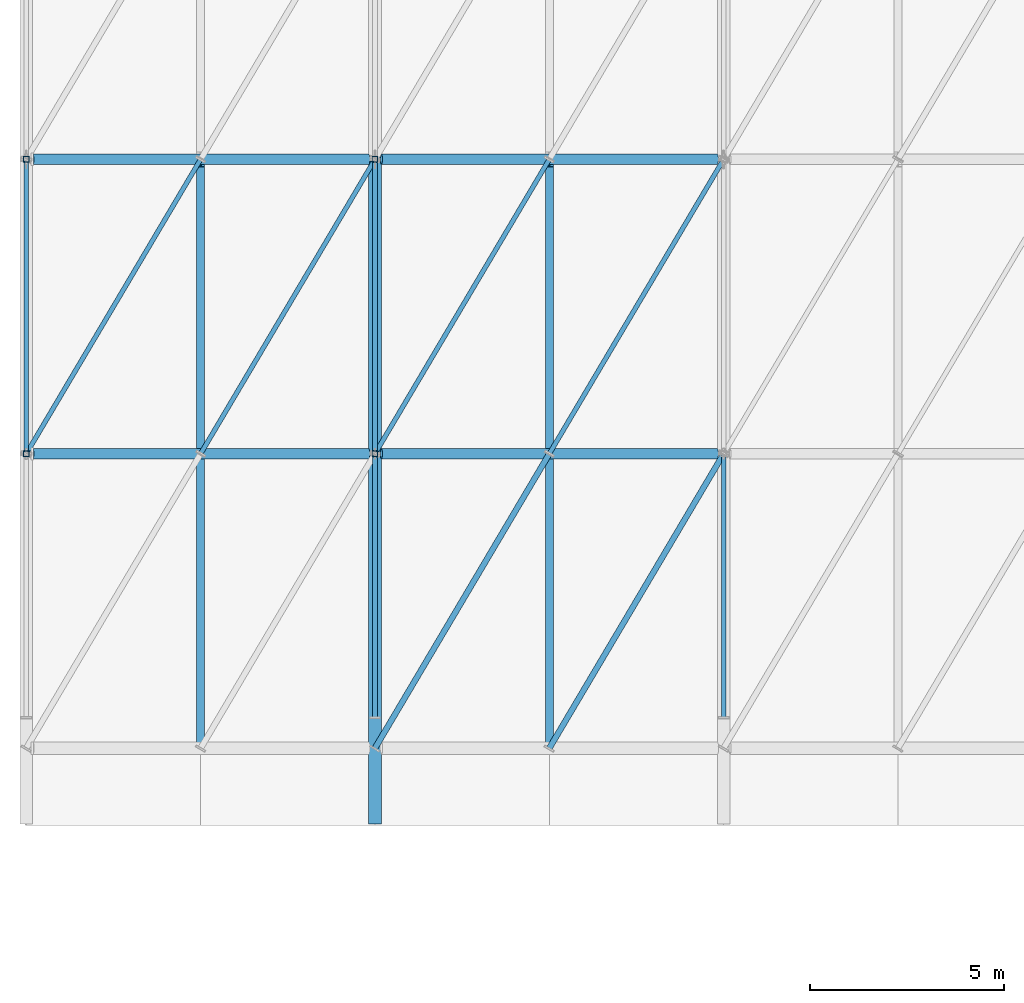
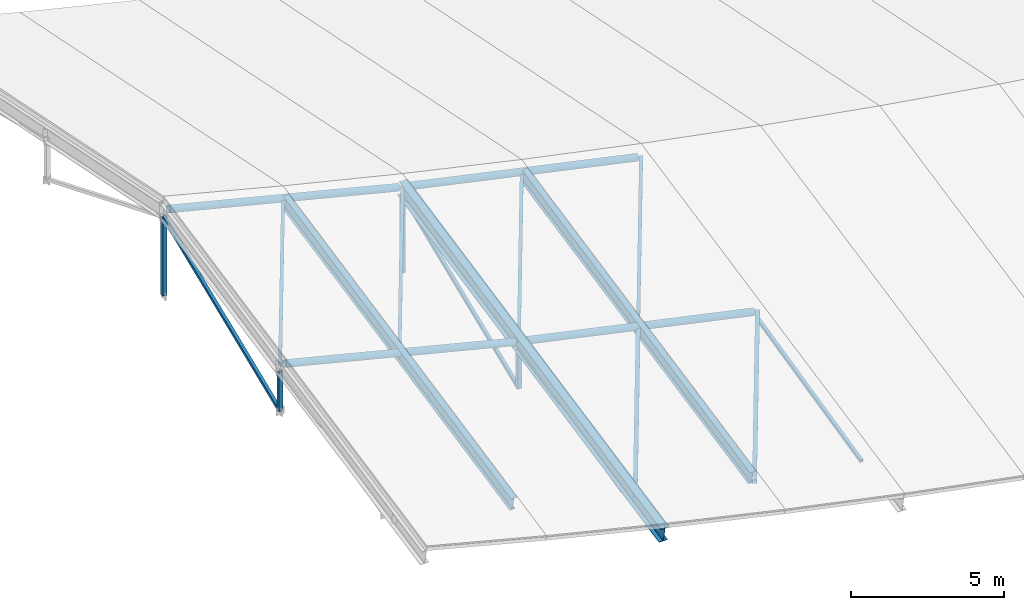
# One storey, part 4 of 21: 14 members, 7 beams.
"""IFC4 building model written with IfcOpenShell, lengths in metres."""

from ifc_helpers import new_model, si_unit, direction, frame, origin, origin_2d, place, context, subcontext, project, spatial, hollow_rectangle, hollow_circle, i_section, extrude, material, material_profile, profile_set, type_object, element, save


model = new_model("IFC4")

# Units and contexts
model_context = context("Model", 3, precision=1e-05, world=origin(), true_north=direction((0.0, 1.0)))
body_context = subcontext(model_context, "Body", "Model", "MODEL_VIEW")
ifc_project = project(units=[si_unit("LENGTHUNIT", "METRE"), si_unit("AREAUNIT", "SQUARE_METRE"), si_unit("VOLUMEUNIT", "CUBIC_METRE"), si_unit("PLANEANGLEUNIT", "RADIAN"), si_unit("MASSUNIT", "GRAM", prefix="KILO")], contexts=[model_context])

# Site, building, storey
site_placement = place(None, origin())
site = spatial("IfcSite", under=ifc_project, at=site_placement, CompositionType="ELEMENT")
building_placement = place(site_placement, origin())
building = spatial("IfcBuilding", under=site, at=building_placement, Name="Caisbarro Railhouse Central Library", CompositionType="ELEMENT")
storey_placement = place(building_placement, frame((0.0, 0.0, 26.639892578125)))
storey = spatial("IfcBuildingStorey", under=building, at=storey_placement, Name="RF", CompositionType="ELEMENT", Elevation=26.639892578125)

# Beams
ifc_material = material(Name="Steel ASTM A572 Grade 50", Category="steel")
ifc_material_profile_1 = material_profile(ifc_material, i_section(OverallWidth=0.324951171875, OverallDepth=0.615966796875, WebThickness=0.013916015625, FlangeThickness=0.021484375, FilletRadius=0.02197265625, at=origin_2d()), Name="W610X174.0")
ifc_profile_set_1 = profile_set([ifc_material_profile_1], Name="Steel ASTM A572 Grade 50")
beam_type_1 = type_object("IfcBeamType", Name="BM-G02", PredefinedType="BEAM", material=ifc_profile_set_1)
beam_placement = place(storey_placement, frame((9.0, 28.5, -3.347412109375), z_axis=(0.0, 0.979829500955, 0.199835304833), x_axis=(-1.0, 0.0, 0.0)))
element("IfcBeam", 1, at=beam_placement, inside=storey, type_object=beam_type_1, Name="V1 Gridshell South Rafter X=9", PredefinedType="BEAM", context=body_context, shape_type="SweptSolid", body=[
    extrude(i_section(OverallWidth=0.324951171875, OverallDepth=0.615966796875, WebThickness=0.013916015625, FlangeThickness=0.021484375, FilletRadius=0.02197265625, at=origin_2d()), origin(), (0.0, 0.0, 1.0), 17.4521484375),
])
ifc_material_profile_2 = material_profile(ifc_material, i_section(OverallWidth=0.208984375, OverallDepth=0.532958984375, WebThickness=0.01025390625, FlangeThickness=0.015625, FilletRadius=0.02001953125, at=origin_2d()), Name="W530X92.0")
ifc_profile_set_2 = profile_set([ifc_material_profile_2], Name="Steel ASTM A572 Grade 50")
beam_type_2 = type_object("IfcBeamType", Name="BM-G06", PredefinedType="BEAM", material=ifc_profile_set_2)
for number, where, z_axis, x_axis, name in (
    (2, (4.5, 30.56494140625, -1.80126953125), (0.0, 0.979829287426, 0.199836351802), (-1.0, 0.0, 0.0), "V1 Gridshell Secondary Rafter South 1"),
    (3, (13.5, 30.56494140625, -3.901123046875), (0.0, 0.979832431979, 0.19982093294), (-1.0, 0.0, 0.0), "V1 Gridshell Secondary Rafter South 2"),
):
    element("IfcBeam", number, at=place(storey_placement, frame(where, z_axis=z_axis, x_axis=x_axis)), inside=storey, type_object=beam_type_2, Name=name, PredefinedType="BEAM", context=body_context, shape_type="SweptSolid", body=[
        extrude(i_section(OverallWidth=0.208984375, OverallDepth=0.532958984375, WebThickness=0.01025390625, FlangeThickness=0.015625, FilletRadius=0.02001953125, at=origin_2d()), origin(), (0.0, 0.0, 1.0), 15.20166015625),
    ])
ifc_material_profile_3 = material_profile(ifc_material, hollow_circle(Radius=0.136474609375, WallThickness=0.012451171875, at=origin_2d()), Name="CHS273.0X12.5")
ifc_profile_set_3 = profile_set([ifc_material_profile_3], Name="Steel ASTM A572 Grade 50")
beam_type_3 = type_object("IfcBeamType", Name="BM-RB02", PredefinedType="BEAM", material=ifc_profile_set_3)
for number, where, z_axis, x_axis, name in (
    (4, (0.1650390625, 38.0, 0.798828125), (0.970142500145, 0.0, -0.242535625036), (0.0, 1.0, 0.0), "V1 Gridshell Longitudinal Chord Q101"),
    (5, (0.1650390625, 45.60009765625, 2.348876953125), (0.970142500145, 0.0, -0.242535625036), (0.0, 1.0, 0.0), "V1 Gridshell Longitudinal Chord M01"),
):
    element("IfcBeam", number, at=place(storey_placement, frame(where, z_axis=z_axis, x_axis=x_axis)), inside=storey, type_object=beam_type_3, Name=name, PredefinedType="BEAM", context=body_context, shape_type="SweptSolid", body=[
        extrude(hollow_circle(Radius=0.136474609375, WallThickness=0.012451171875, at=origin_2d()), origin(), (0.0, 0.0, 1.0), 8.936767578125),
    ])
for number, where, z_axis, x_axis, name in (
    (6, (9.1650390625, 38.0, -1.445556640625), (0.977324658803, 0.0, -0.211746337149), (0.0, 1.0, 0.0), "V1 Gridshell Longitudinal Chord Q102"),
    (7, (9.1650390625, 45.60009765625, 0.1044921875), (0.977318963158, 0.0, -0.211772623944), (0.0, 1.0, 0.0), "V1 Gridshell Longitudinal Chord M02"),
):
    element("IfcBeam", number, at=place(storey_placement, frame(where, z_axis=z_axis, x_axis=x_axis)), inside=storey, type_object=beam_type_3, Name=name, PredefinedType="BEAM", context=body_context, shape_type="SweptSolid", body=[
        extrude(hollow_circle(Radius=0.136474609375, WallThickness=0.012451171875, at=origin_2d()), origin(), (0.0, 0.0, 1.0), 8.87109375),
    ])

# Members
ifc_material_profile_4 = material_profile(ifc_material, hollow_rectangle(XDim=0.14990234375, YDim=0.14990234375, WallThickness=0.010009765625, at=origin_2d()), Name="HSS150X150X10")
ifc_profile_set_4 = profile_set([ifc_material_profile_4], Name="Steel ASTM A572 Grade 50")
member_type_1 = type_object("IfcMemberType", Name="MEM-GS01", PredefinedType="STRUT", material=ifc_profile_set_4)
member_1_placement = place(storey_placement, frame((0.0, 38.0, -1.0078125), z_axis=(0.0, 0.0, 1.0), x_axis=(1.0, 0.0, 0.0)))
element("IfcMember", 8, at=member_1_placement, inside=storey, type_object=member_type_1, Name="V1 Gridshell QPS Strut 1", PredefinedType="STRUT", context=body_context, shape_type="SweptSolid", body=[
    extrude(hollow_rectangle(XDim=0.14990234375, YDim=0.14990234375, WallThickness=0.010009765625, at=origin_2d()), origin(), (0.0, 0.0, 1.0), 1.56494140625),
])
member_2_placement = place(storey_placement, frame((0.0, 45.60009765625, -1.0078125), z_axis=(0.0, 0.0, 1.0), x_axis=(1.0, 0.0, 0.0)))
element("IfcMember", 9, at=member_2_placement, inside=storey, type_object=member_type_1, Name="V1 Gridshell KP Strut 1", PredefinedType="STRUT", context=body_context, shape_type="SweptSolid", body=[
    extrude(hollow_rectangle(XDim=0.14990234375, YDim=0.14990234375, WallThickness=0.010009765625, at=origin_2d()), origin(), (0.0, 0.0, 1.0), 3.114990234375),
])
member_3_placement = place(storey_placement, frame((9.0, 38.0, -3.2578125), z_axis=(0.0, 0.0, 1.0), x_axis=(1.0, 0.0, 0.0)))
element("IfcMember", 10, at=member_3_placement, inside=storey, type_object=member_type_1, Name="V1 Gridshell QPS Strut 2", PredefinedType="STRUT", context=body_context, shape_type="SweptSolid", body=[
    extrude(hollow_rectangle(XDim=0.14990234375, YDim=0.14990234375, WallThickness=0.010009765625, at=origin_2d()), origin(), (0.0, 0.0, 1.0), 1.56494140625),
])
member_4_placement = place(storey_placement, frame((9.0, 45.60009765625, -3.2578125), z_axis=(0.0, 0.0, 1.0), x_axis=(1.0, 0.0, 0.0)))
element("IfcMember", 11, at=member_4_placement, inside=storey, type_object=member_type_1, Name="V1 Gridshell KP Strut 2", PredefinedType="STRUT", context=body_context, shape_type="SweptSolid", body=[
    extrude(hollow_rectangle(XDim=0.14990234375, YDim=0.14990234375, WallThickness=0.010009765625, at=origin_2d()), origin(), (0.0, 0.0, 1.0), 3.114990234375),
])
member_5_placement = place(storey_placement, frame((9.0, 30.39990234375, -2.9599609375), z_axis=(0.508546018217, 0.85888875581, 0.060754032775), x_axis=(-0.860478259115, 0.509487159397, 0.0)))
element("IfcMember", 12, at=member_5_placement, inside=storey, type_object=member_type_1, Name="V1 Gridshell Diagonal Strut 9", PredefinedType="STRUT", context=body_context, shape_type="SweptSolid", body=[
    extrude(hollow_rectangle(XDim=0.14990234375, YDim=0.14990234375, WallThickness=0.010009765625, at=origin_2d()), origin(), (0.0, 0.0, 1.0), 8.848876953125),
])
member_6_placement = place(storey_placement, frame((13.5, 30.39990234375, -3.972412109375), z_axis=(0.508266307624, 0.858416349627, 0.069186206913), x_axis=(-0.860478259115, 0.509487159397, 0.0)))
element("IfcMember", 13, at=member_6_placement, inside=storey, type_object=member_type_1, Name="V1 Gridshell Diagonal Strut 13", PredefinedType="STRUT", context=body_context, shape_type="SweptSolid", body=[
    extrude(hollow_rectangle(XDim=0.14990234375, YDim=0.14990234375, WallThickness=0.010009765625, at=origin_2d()), origin(), (0.0, 0.0, 1.0), 8.853515625),
])
ifc_material_profile_5 = material_profile(ifc_material, hollow_rectangle(XDim=0.1201171875, YDim=0.1201171875, WallThickness=0.008056640625, at=origin_2d()), Name="HSS120X120X8")
ifc_profile_set_5 = profile_set([ifc_material_profile_5], Name="Steel ASTM A572 Grade 50")
member_type_2 = type_object("IfcMemberType", Name="MEM-GS02", PredefinedType="STRUT", material=ifc_profile_set_5)
member_7_placement = place(storey_placement, frame((0.0, 38.0, -1.0078125), z_axis=(0.0, 0.925296760282, 0.379243860085), x_axis=(-1.0, 0.0, 0.0)))
element("IfcMember", 14, at=member_7_placement, inside=storey, type_object=member_type_2, Name="V1 Gridshell Truss Web DS2 1", PredefinedType="STRUT", context=body_context, shape_type="SweptSolid", body=[
    extrude(hollow_rectangle(XDim=0.1201171875, YDim=0.1201171875, WallThickness=0.008056640625, at=origin_2d()), origin(), (0.0, 0.0, 1.0), 8.213623046875),
])
member_8_placement = place(storey_placement, frame((9.0, 31.199951171875, -3.2578125), z_axis=(0.0, 0.974526058673, 0.224274298499), x_axis=(-1.0, 0.0, 0.0)))
element("IfcMember", 15, at=member_8_placement, inside=storey, type_object=member_type_2, Name="V1 Gridshell Truss Web DS1 2", PredefinedType="STRUT", context=body_context, shape_type="SweptSolid", body=[
    extrude(hollow_rectangle(XDim=0.1201171875, YDim=0.1201171875, WallThickness=0.008056640625, at=origin_2d()), origin(), (0.0, 0.0, 1.0), 6.977783203125),
])
member_9_placement = place(storey_placement, frame((9.0, 38.0, -3.2578125), z_axis=(0.0, 0.925296760282, 0.379243860085), x_axis=(-1.0, 0.0, 0.0)))
element("IfcMember", 16, at=member_9_placement, inside=storey, type_object=member_type_2, Name="V1 Gridshell Truss Web DS2 2", PredefinedType="STRUT", context=body_context, shape_type="SweptSolid", body=[
    extrude(hollow_rectangle(XDim=0.1201171875, YDim=0.1201171875, WallThickness=0.008056640625, at=origin_2d()), origin(), (0.0, 0.0, 1.0), 8.213623046875),
])
member_10_placement = place(storey_placement, frame((18.0, 31.199951171875, -5.2080078125), z_axis=(0.0, 0.974518411108, 0.224307526428), x_axis=(-1.0, 0.0, 0.0)))
element("IfcMember", 17, at=member_10_placement, inside=storey, type_object=member_type_2, Name="V1 Gridshell Truss Web DS1 3", PredefinedType="STRUT", context=body_context, shape_type="SweptSolid", body=[
    extrude(hollow_rectangle(XDim=0.1201171875, YDim=0.1201171875, WallThickness=0.008056640625, at=origin_2d()), origin(), (0.0, 0.0, 1.0), 6.977783203125),
])
member_11_placement = place(storey_placement, frame((0.0, 38.0, 0.840087890625), z_axis=(0.5089976597, 0.859651537894, 0.043824831052), x_axis=(-0.860478259115, 0.509487159397, 0.0)))
element("IfcMember", 18, at=member_11_placement, inside=storey, type_object=member_type_2, Name="V1 Gridshell Diagonal Strut 2", PredefinedType="STRUT", context=body_context, shape_type="SweptSolid", body=[
    extrude(hollow_rectangle(XDim=0.1201171875, YDim=0.1201171875, WallThickness=0.008056640625, at=origin_2d()), origin(), (0.0, 0.0, 1.0), 8.8408203125),
])
member_12_placement = place(storey_placement, frame((4.5, 38.0, -0.322509765625), z_axis=(0.50878964902, 0.859300226453, 0.052308831646), x_axis=(-0.860478259115, 0.509487159397, 0.0)))
element("IfcMember", 19, at=member_12_placement, inside=storey, type_object=member_type_2, Name="V1 Gridshell Diagonal Strut 6", PredefinedType="STRUT", context=body_context, shape_type="SweptSolid", body=[
    extrude(hollow_rectangle(XDim=0.1201171875, YDim=0.1201171875, WallThickness=0.008056640625, at=origin_2d()), origin(), (0.0, 0.0, 1.0), 8.844482421875),
])
member_13_placement = place(storey_placement, frame((9.0, 38.0, -1.409912109375), z_axis=(0.508546018217, 0.85888875581, 0.060754032775), x_axis=(-0.860478259115, 0.509487159397, 0.0)))
element("IfcMember", 20, at=member_13_placement, inside=storey, type_object=member_type_2, Name="V1 Gridshell Diagonal Strut 10", PredefinedType="STRUT", context=body_context, shape_type="SweptSolid", body=[
    extrude(hollow_rectangle(XDim=0.1201171875, YDim=0.1201171875, WallThickness=0.008056640625, at=origin_2d()), origin(), (0.0, 0.0, 1.0), 8.848876953125),
])
member_14_placement = place(storey_placement, frame((13.5, 38.0, -2.42236328125), z_axis=(0.508266307624, 0.858416349627, 0.069186206913), x_axis=(-0.860478259115, 0.509487159397, 0.0)))
element("IfcMember", 21, at=member_14_placement, inside=storey, type_object=member_type_2, Name="V1 Gridshell Diagonal Strut 14", PredefinedType="STRUT", context=body_context, shape_type="SweptSolid", body=[
    extrude(hollow_rectangle(XDim=0.1201171875, YDim=0.1201171875, WallThickness=0.008056640625, at=origin_2d()), origin(), (0.0, 0.0, 1.0), 8.853515625),
])

save(model, "model.ifc")
